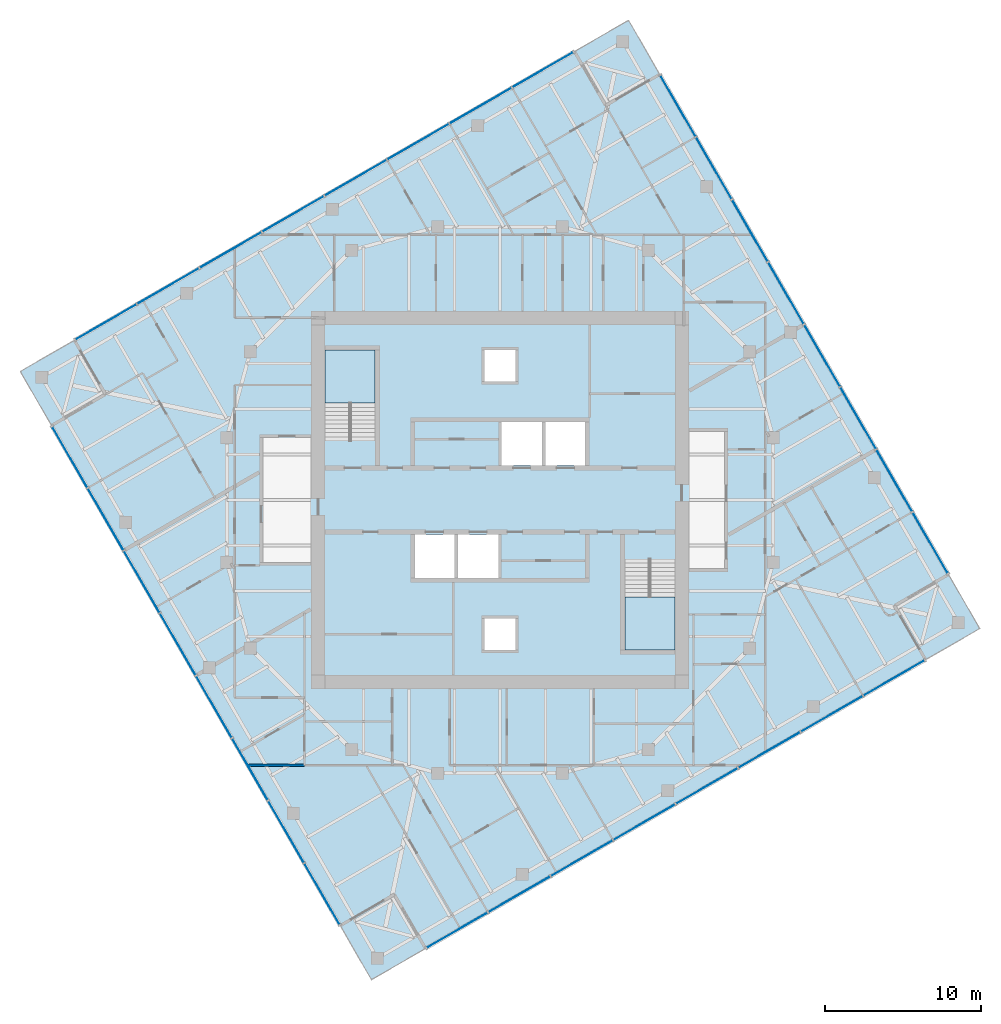
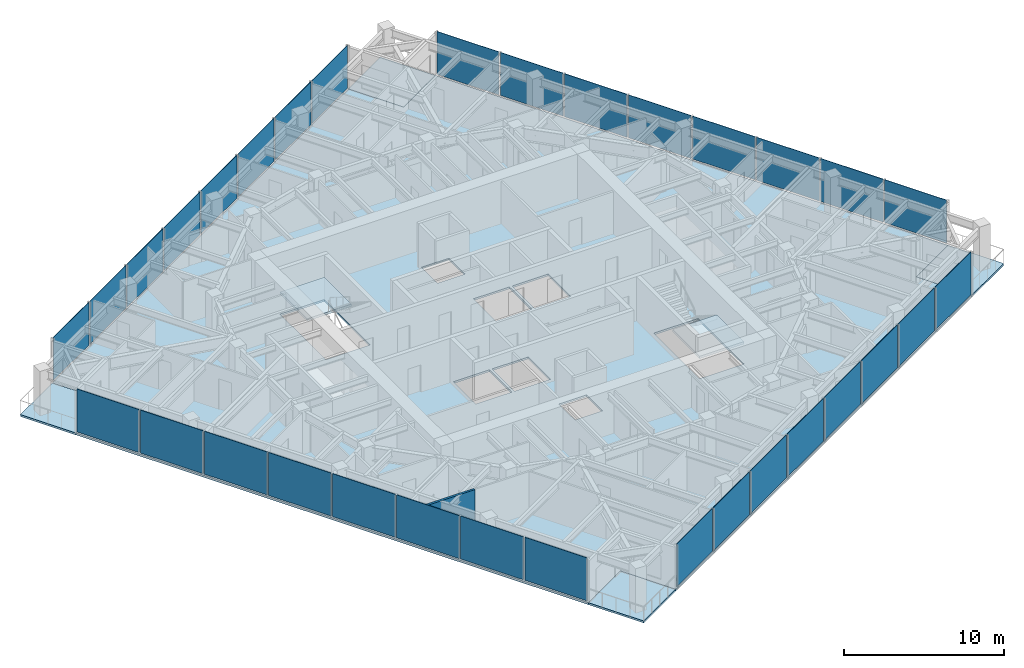
# One storey, part 6 of 13: 32 plates, 7 slabs, 1 wall, 6 elements without a shape of their own.
"""IFC4 building model written with IfcOpenShell, lengths in metres."""

from ifc_helpers import new_model, si_unit, direction, frame, frame_2d, origin, origin_2d, place, context, subcontext, project, spatial, polyline, rectangle, outline, extrude, material, layer, layer_set, type_object, element, aggregate, save


model = new_model("IFC4")

# Units and contexts
model_context = context("Model", 3, precision=1e-05, world=origin(), true_north=direction((0.0, 1.0)))
body_context = subcontext(model_context, "Body", "Model", "MODEL_VIEW")
ifc_project = project(units=[si_unit("LENGTHUNIT", "METRE"), si_unit("AREAUNIT", "SQUARE_METRE"), si_unit("VOLUMEUNIT", "CUBIC_METRE"), si_unit("PLANEANGLEUNIT", "RADIAN"), si_unit("MASSUNIT", "GRAM", prefix="KILO")], contexts=[model_context])

# Site, building, storey
site_placement = place(None, origin())
site = spatial("IfcSite", under=ifc_project, at=site_placement, CompositionType="ELEMENT")
building_placement = place(site_placement, origin())
building = spatial("IfcBuilding", under=site, at=building_placement, Name="Torsade Residences", CompositionType="ELEMENT")
storey_placement = place(building_placement, frame((0.0, 0.0, 215.0)))
storey = spatial("IfcBuildingStorey", under=building, at=storey_placement, Name="L59", CompositionType="ELEMENT", Elevation=215.0)

# Slab
ifc_material_1 = material(Name="Concrete 40 MPa", Category="concrete")
ifc_layer_1 = layer(ifc_material_1, 0.14990234375)
ifc_layer_set_1 = layer_set([ifc_layer_1], Name="Concrete 40 MPa")
slab_type_1 = type_object("IfcSlabType", Name="COMPOSITE FLOOR SLAB 150", PredefinedType="FLOOR", material=ifc_layer_set_1)
slab_1_placement = place(storey_placement, frame((0.0, 0.0, -0.14990234375)))
element("IfcSlab", 1, at=slab_1_placement, inside=storey, type_object=slab_type_1, Name="Floor slab L59", PredefinedType="FLOOR", context=body_context, shape_type="SweptSolid", body=[
    extrude(outline(polyline([(35.228515625, 1.264404296875), (67.271484375, 19.764404296875), (65.271484375, 23.228515625), (68.735595703125, 25.228515625), (50.235595703125, 57.271484375), (46.771484375, 55.271484375), (44.771484375, 58.735595703125), (12.728515625, 40.235595703125), (14.728515625, 36.771484375), (11.264404296875, 34.771484375), (29.764404296875, 2.728515625), (33.228515625, 4.728515625), (35.228515625, 1.264404296875)]), holes=[polyline([(51.199951171875, 26.1201171875), (48.0, 26.1201171875), (48.0, 20.39990234375), (51.199951171875, 20.39990234375), (51.199951171875, 26.1201171875)]), polyline([(45.5, 35.0), (42.89990234375, 35.0), (42.89990234375, 32.199951171875), (45.5, 32.199951171875), (45.5, 35.0)]), polyline([(42.699951171875, 35.0), (40.10009765625, 35.0), (40.10009765625, 32.199951171875), (42.699951171875, 32.199951171875), (42.699951171875, 35.0)]), polyline([(41.0, 22.39990234375), (39.0, 22.39990234375), (39.0, 20.39990234375), (41.0, 20.39990234375), (41.0, 22.39990234375)]), polyline([(41.0, 39.60009765625), (39.0, 39.60009765625), (39.0, 37.60009765625), (41.0, 37.60009765625), (41.0, 39.60009765625)]), polyline([(39.89990234375, 27.800048828125), (37.300048828125, 27.800048828125), (37.300048828125, 25.0), (39.89990234375, 25.0), (39.89990234375, 27.800048828125)]), polyline([(37.10009765625, 27.800048828125), (34.5, 27.800048828125), (34.5, 25.0), (37.10009765625, 25.0), (37.10009765625, 27.800048828125)]), polyline([(32.0, 39.60009765625), (28.800048828125, 39.60009765625), (28.800048828125, 33.8798828125), (32.0, 33.8798828125), (32.0, 39.60009765625)])]), origin(), (0.0, 0.0, 1.0), 0.14990234375),
])

# Curtain wall, plates
ifc_material_2 = material(Name="Aluminium and glass", Category="aluminium")
curtain_wall_type = type_object("IfcCurtainWallType", Name="FRITTED GLASS CURTAIN WALL HIGH ZONE", PredefinedType="NOTDEFINED", material=ifc_material_2)
curtain_wall_1_placement = place(storey_placement, origin())
curtain_wall_1 = element("IfcCurtainWall", 2, at=curtain_wall_1_placement, inside=storey, type_object=curtain_wall_type, Name="Curtain wall L59 face 1", PredefinedType="NOTDEFINED")
ifc_material_3 = material(Name="Laminated glass", Category="glass")
ifc_layer_2 = layer(ifc_material_3, 0.031982421875)
ifc_layer_set_2 = layer_set([ifc_layer_2], Name="Laminated glass")
plate_type_1 = type_object("IfcPlateType", Name="FRITTED GLASS PANEL", PredefinedType="CURTAIN_PANEL", material=ifc_layer_set_2)
plate_1_placement = place(storey_placement, frame((37.2529296875, 2.43310546875, 0.1201171875), z_axis=(0.0, 0.0, 1.0), x_axis=(0.866025404186, 0.499999999305, 0.0)))
plate_1 = element("IfcPlate", 3, at=plate_1_placement, type_object=plate_type_1, Name="Panel 1", PredefinedType="CURTAIN_PANEL", context=body_context, shape_type="SweptSolid", body=[
    extrude(rectangle(XDim=4.47509765625, YDim=0.031982421875, at=origin_2d()), origin(), (0.0, 0.0, 1.0), 3.280029296875),
])
plate_2_placement = place(storey_placement, frame((45.241943359375, 7.045654296875, 0.1201171875), z_axis=(0.0, 0.0, 1.0), x_axis=(0.866025404186, 0.499999999305, 0.0)))
plate_2 = element("IfcPlate", 4, at=plate_2_placement, type_object=plate_type_1, Name="Panel 3", PredefinedType="CURTAIN_PANEL", context=body_context, shape_type="SweptSolid", body=[
    extrude(rectangle(XDim=4.52490234375, YDim=0.031982421875, at=origin_2d()), origin(), (0.0, 0.0, 1.0), 3.280029296875),
])
plate_3_placement = place(storey_placement, frame((49.247314453125, 9.358154296875, 0.1201171875), z_axis=(0.0, 0.0, 1.0), x_axis=(0.866025404186, 0.499999999305, 0.0)))
plate_3 = element("IfcPlate", 5, at=plate_3_placement, type_object=plate_type_1, Name="Panel 4", PredefinedType="CURTAIN_PANEL", context=body_context, shape_type="SweptSolid", body=[
    extrude(rectangle(XDim=4.52490234375, YDim=0.031982421875, at=origin_2d()), origin(), (0.0, 0.0, 1.0), 3.280029296875),
])
plate_4_placement = place(storey_placement, frame((53.252685546875, 11.670654296875, 0.1201171875), z_axis=(0.0, 0.0, 1.0), x_axis=(0.866025404186, 0.499999999305, 0.0)))
plate_4 = element("IfcPlate", 6, at=plate_4_placement, type_object=plate_type_1, Name="Panel 5", PredefinedType="CURTAIN_PANEL", context=body_context, shape_type="SweptSolid", body=[
    extrude(rectangle(XDim=4.52490234375, YDim=0.031982421875, at=origin_2d()), origin(), (0.0, 0.0, 1.0), 3.280029296875),
])
plate_5_placement = place(storey_placement, frame((61.263427734375, 16.295654296875, 0.1201171875), z_axis=(0.0, 0.0, 1.0), x_axis=(0.866025404186, 0.499999999305, 0.0)))
plate_5 = element("IfcPlate", 7, at=plate_5_placement, type_object=plate_type_1, Name="Panel 7", PredefinedType="CURTAIN_PANEL", context=body_context, shape_type="SweptSolid", body=[
    extrude(rectangle(XDim=4.52490234375, YDim=0.031982421875, at=origin_2d()), origin(), (0.0, 0.0, 1.0), 3.280029296875),
])
plate_6_placement = place(storey_placement, frame((65.2470703125, 18.595703125, 0.1201171875), z_axis=(0.0, 0.0, 1.0), x_axis=(0.866025404186, 0.499999999305, 0.0)))
plate_6 = element("IfcPlate", 8, at=plate_6_placement, type_object=plate_type_1, Name="Panel 8", PredefinedType="CURTAIN_PANEL", context=body_context, shape_type="SweptSolid", body=[
    extrude(rectangle(XDim=4.47509765625, YDim=0.031982421875, at=origin_2d()), origin(), (0.0, 0.0, 1.0), 3.280029296875),
])

curtain_wall_2_placement = place(storey_placement, origin())
curtain_wall_2 = element("IfcCurtainWall", 9, at=curtain_wall_2_placement, inside=storey, type_object=curtain_wall_type, Name="Curtain wall L59 face 4", PredefinedType="NOTDEFINED")
plate_7_placement = place(storey_placement, frame((67.56689453125, 27.2529296875, 0.1201171875), z_axis=(0.0, 0.0, 1.0), x_axis=(-0.499999999305, 0.866025404186, 0.0)))
plate_7 = element("IfcPlate", 10, at=plate_7_placement, type_object=plate_type_1, Name="Panel 1", PredefinedType="CURTAIN_PANEL", context=body_context, shape_type="SweptSolid", body=[
    extrude(rectangle(XDim=4.47509765625, YDim=0.031982421875, at=origin_2d()), origin(), (0.0, 0.0, 1.0), 3.280029296875),
])
plate_8_placement = place(storey_placement, frame((62.954345703125, 35.241943359375, 0.1201171875), z_axis=(0.0, 0.0, 1.0), x_axis=(-0.499999999305, 0.866025404186, 0.0)))
plate_8 = element("IfcPlate", 11, at=plate_8_placement, type_object=plate_type_1, Name="Panel 3", PredefinedType="CURTAIN_PANEL", context=body_context, shape_type="SweptSolid", body=[
    extrude(rectangle(XDim=4.52490234375, YDim=0.031982421875, at=origin_2d()), origin(), (0.0, 0.0, 1.0), 3.280029296875),
])
plate_9_placement = place(storey_placement, frame((60.641845703125, 39.247314453125, 0.1201171875), z_axis=(0.0, 0.0, 1.0), x_axis=(-0.499999999305, 0.866025404186, 0.0)))
plate_9 = element("IfcPlate", 12, at=plate_9_placement, type_object=plate_type_1, Name="Panel 4", PredefinedType="CURTAIN_PANEL", context=body_context, shape_type="SweptSolid", body=[
    extrude(rectangle(XDim=4.52490234375, YDim=0.031982421875, at=origin_2d()), origin(), (0.0, 0.0, 1.0), 3.280029296875),
])
plate_10_placement = place(storey_placement, frame((58.329345703125, 43.252685546875, 0.1201171875), z_axis=(0.0, 0.0, 1.0), x_axis=(-0.499999999305, 0.866025404186, 0.0)))
plate_10 = element("IfcPlate", 13, at=plate_10_placement, type_object=plate_type_1, Name="Panel 5", PredefinedType="CURTAIN_PANEL", context=body_context, shape_type="SweptSolid", body=[
    extrude(rectangle(XDim=4.52490234375, YDim=0.031982421875, at=origin_2d()), origin(), (0.0, 0.0, 1.0), 3.280029296875),
])
plate_11_placement = place(storey_placement, frame((53.704345703125, 51.263427734375, 0.1201171875), z_axis=(0.0, 0.0, 1.0), x_axis=(-0.499999999305, 0.866025404186, 0.0)))
plate_11 = element("IfcPlate", 14, at=plate_11_placement, type_object=plate_type_1, Name="Panel 7", PredefinedType="CURTAIN_PANEL", context=body_context, shape_type="SweptSolid", body=[
    extrude(rectangle(XDim=4.52490234375, YDim=0.031982421875, at=origin_2d()), origin(), (0.0, 0.0, 1.0), 3.280029296875),
])
plate_12_placement = place(storey_placement, frame((51.404296875, 55.2470703125, 0.1201171875), z_axis=(0.0, 0.0, 1.0), x_axis=(-0.499999999305, 0.866025404186, 0.0)))
plate_12 = element("IfcPlate", 15, at=plate_12_placement, type_object=plate_type_1, Name="Panel 8", PredefinedType="CURTAIN_PANEL", context=body_context, shape_type="SweptSolid", body=[
    extrude(rectangle(XDim=4.47509765625, YDim=0.031982421875, at=origin_2d()), origin(), (0.0, 0.0, 1.0), 3.280029296875),
])

curtain_wall_3_placement = place(storey_placement, origin())
curtain_wall_3 = element("IfcCurtainWall", 16, at=curtain_wall_3_placement, inside=storey, type_object=curtain_wall_type, Name="Curtain wall L59 face 7", PredefinedType="NOTDEFINED")
plate_13_placement = place(storey_placement, frame((42.7470703125, 57.56689453125, 0.1201171875), z_axis=(0.0, 0.0, 1.0), x_axis=(-0.866025404186, -0.499999999305, 0.0)))
plate_13 = element("IfcPlate", 17, at=plate_13_placement, type_object=plate_type_1, Name="Panel 1", PredefinedType="CURTAIN_PANEL", context=body_context, shape_type="SweptSolid", body=[
    extrude(rectangle(XDim=4.47509765625, YDim=0.031982421875, at=origin_2d()), origin(), (0.0, 0.0, 1.0), 3.280029296875),
])
plate_14_placement = place(storey_placement, frame((34.758056640625, 52.954345703125, 0.1201171875), z_axis=(0.0, 0.0, 1.0), x_axis=(-0.866025404186, -0.499999999305, 0.0)))
plate_14 = element("IfcPlate", 18, at=plate_14_placement, type_object=plate_type_1, Name="Panel 3", PredefinedType="CURTAIN_PANEL", context=body_context, shape_type="SweptSolid", body=[
    extrude(rectangle(XDim=4.52490234375, YDim=0.031982421875, at=origin_2d()), origin(), (0.0, 0.0, 1.0), 3.280029296875),
])
plate_15_placement = place(storey_placement, frame((30.752685546875, 50.641845703125, 0.1201171875), z_axis=(0.0, 0.0, 1.0), x_axis=(-0.866025404186, -0.499999999305, 0.0)))
plate_15 = element("IfcPlate", 19, at=plate_15_placement, type_object=plate_type_1, Name="Panel 4", PredefinedType="CURTAIN_PANEL", context=body_context, shape_type="SweptSolid", body=[
    extrude(rectangle(XDim=4.52490234375, YDim=0.031982421875, at=origin_2d()), origin(), (0.0, 0.0, 1.0), 3.280029296875),
])
plate_16_placement = place(storey_placement, frame((26.747314453125, 48.329345703125, 0.1201171875), z_axis=(0.0, 0.0, 1.0), x_axis=(-0.866025404186, -0.499999999305, 0.0)))
plate_16 = element("IfcPlate", 20, at=plate_16_placement, type_object=plate_type_1, Name="Panel 5", PredefinedType="CURTAIN_PANEL", context=body_context, shape_type="SweptSolid", body=[
    extrude(rectangle(XDim=4.52490234375, YDim=0.031982421875, at=origin_2d()), origin(), (0.0, 0.0, 1.0), 3.280029296875),
])
plate_17_placement = place(storey_placement, frame((18.736572265625, 43.704345703125, 0.1201171875), z_axis=(0.0, 0.0, 1.0), x_axis=(-0.866025404186, -0.499999999305, 0.0)))
plate_17 = element("IfcPlate", 21, at=plate_17_placement, type_object=plate_type_1, Name="Panel 7", PredefinedType="CURTAIN_PANEL", context=body_context, shape_type="SweptSolid", body=[
    extrude(rectangle(XDim=4.52490234375, YDim=0.031982421875, at=origin_2d()), origin(), (0.0, 0.0, 1.0), 3.280029296875),
])
plate_18_placement = place(storey_placement, frame((14.7529296875, 41.404296875, 0.1201171875), z_axis=(0.0, 0.0, 1.0), x_axis=(-0.866025404186, -0.499999999305, 0.0)))
plate_18 = element("IfcPlate", 22, at=plate_18_placement, type_object=plate_type_1, Name="Panel 8", PredefinedType="CURTAIN_PANEL", context=body_context, shape_type="SweptSolid", body=[
    extrude(rectangle(XDim=4.47509765625, YDim=0.031982421875, at=origin_2d()), origin(), (0.0, 0.0, 1.0), 3.280029296875),
])

curtain_wall_4_placement = place(storey_placement, origin())
curtain_wall_4 = element("IfcCurtainWall", 23, at=curtain_wall_4_placement, inside=storey, type_object=curtain_wall_type, Name="Curtain wall L59 face 10", PredefinedType="NOTDEFINED")
plate_19_placement = place(storey_placement, frame((12.43310546875, 32.7470703125, 0.1201171875), z_axis=(0.0, 0.0, 1.0), x_axis=(0.499999999305, -0.866025404186, 0.0)))
plate_19 = element("IfcPlate", 24, at=plate_19_placement, type_object=plate_type_1, Name="Panel 1", PredefinedType="CURTAIN_PANEL", context=body_context, shape_type="SweptSolid", body=[
    extrude(rectangle(XDim=4.47509765625, YDim=0.031982421875, at=origin_2d()), origin(), (0.0, 0.0, 1.0), 3.280029296875),
])
plate_20_placement = place(storey_placement, frame((17.045654296875, 24.758056640625, 0.1201171875), z_axis=(0.0, 0.0, 1.0), x_axis=(0.499999999305, -0.866025404186, 0.0)))
plate_20 = element("IfcPlate", 25, at=plate_20_placement, type_object=plate_type_1, Name="Panel 3", PredefinedType="CURTAIN_PANEL", context=body_context, shape_type="SweptSolid", body=[
    extrude(rectangle(XDim=4.52490234375, YDim=0.031982421875, at=origin_2d()), origin(), (0.0, 0.0, 1.0), 3.280029296875),
])
plate_21_placement = place(storey_placement, frame((19.358154296875, 20.752685546875, 0.1201171875), z_axis=(0.0, 0.0, 1.0), x_axis=(0.499999999305, -0.866025404186, 0.0)))
plate_21 = element("IfcPlate", 26, at=plate_21_placement, type_object=plate_type_1, Name="Panel 4", PredefinedType="CURTAIN_PANEL", context=body_context, shape_type="SweptSolid", body=[
    extrude(rectangle(XDim=4.52490234375, YDim=0.031982421875, at=origin_2d()), origin(), (0.0, 0.0, 1.0), 3.280029296875),
])
plate_22_placement = place(storey_placement, frame((21.670654296875, 16.747314453125, 0.1201171875), z_axis=(0.0, 0.0, 1.0), x_axis=(0.499999999305, -0.866025404186, 0.0)))
plate_22 = element("IfcPlate", 27, at=plate_22_placement, type_object=plate_type_1, Name="Panel 5", PredefinedType="CURTAIN_PANEL", context=body_context, shape_type="SweptSolid", body=[
    extrude(rectangle(XDim=4.52490234375, YDim=0.031982421875, at=origin_2d()), origin(), (0.0, 0.0, 1.0), 3.280029296875),
])
plate_23_placement = place(storey_placement, frame((26.295654296875, 8.736572265625, 0.1201171875), z_axis=(0.0, 0.0, 1.0), x_axis=(0.499999999305, -0.866025404186, 0.0)))
plate_23 = element("IfcPlate", 28, at=plate_23_placement, type_object=plate_type_1, Name="Panel 7", PredefinedType="CURTAIN_PANEL", context=body_context, shape_type="SweptSolid", body=[
    extrude(rectangle(XDim=4.52490234375, YDim=0.031982421875, at=origin_2d()), origin(), (0.0, 0.0, 1.0), 3.280029296875),
])
plate_24_placement = place(storey_placement, frame((28.595703125, 4.7529296875, 0.1201171875), z_axis=(0.0, 0.0, 1.0), x_axis=(0.499999999305, -0.866025404186, 0.0)))
plate_24 = element("IfcPlate", 29, at=plate_24_placement, type_object=plate_type_1, Name="Panel 8", PredefinedType="CURTAIN_PANEL", context=body_context, shape_type="SweptSolid", body=[
    extrude(rectangle(XDim=4.47509765625, YDim=0.031982421875, at=origin_2d()), origin(), (0.0, 0.0, 1.0), 3.280029296875),
])

# Plate
ifc_material_4 = material(Name="Laminated glass", Category="glass")
ifc_layer_3 = layer(ifc_material_4, 0.0400390625)
ifc_layer_set_3 = layer_set([ifc_layer_3], Name="Laminated glass")
plate_type_2 = type_object("IfcPlateType", Name="OPERABLE VENT PANEL", PredefinedType="CURTAIN_PANEL", material=ifc_layer_set_3)
plate_25_placement = place(storey_placement, frame((41.236572265625, 4.733154296875, 0.1201171875), z_axis=(0.0, 0.0, 1.0), x_axis=(0.866025404186, 0.499999999305, 0.0)))
plate_25 = element("IfcPlate", 30, at=plate_25_placement, type_object=plate_type_2, Name="Panel 2", PredefinedType="CURTAIN_PANEL", context=body_context, shape_type="SweptSolid", body=[
    extrude(rectangle(XDim=4.52490234375, YDim=0.0400390625, at=origin_2d()), origin(), (0.0, 0.0, 1.0), 3.280029296875),
])

plate_26_placement = place(storey_placement, frame((57.258056640625, 13.983154296875, 0.1201171875), z_axis=(0.0, 0.0, 1.0), x_axis=(0.866025404186, 0.499999999305, 0.0)))
plate_26 = element("IfcPlate", 31, at=plate_26_placement, type_object=plate_type_2, Name="Panel 6", PredefinedType="CURTAIN_PANEL", context=body_context, shape_type="SweptSolid", body=[
    extrude(rectangle(XDim=4.52490234375, YDim=0.0400390625, at=origin_2d()), origin(), (0.0, 0.0, 1.0), 3.280029296875),
])

aggregate(curtain_wall_1, [plate_1, plate_25, plate_2, plate_3, plate_4, plate_26, plate_5, plate_6])

plate_27_placement = place(storey_placement, frame((65.266845703125, 31.236572265625, 0.1201171875), z_axis=(0.0, 0.0, 1.0), x_axis=(-0.499999999305, 0.866025404186, 0.0)))
plate_27 = element("IfcPlate", 32, at=plate_27_placement, type_object=plate_type_2, Name="Panel 2", PredefinedType="CURTAIN_PANEL", context=body_context, shape_type="SweptSolid", body=[
    extrude(rectangle(XDim=4.52490234375, YDim=0.0400390625, at=origin_2d()), origin(), (0.0, 0.0, 1.0), 3.280029296875),
])

plate_28_placement = place(storey_placement, frame((56.016845703125, 47.258056640625, 0.1201171875), z_axis=(0.0, 0.0, 1.0), x_axis=(-0.499999999305, 0.866025404186, 0.0)))
plate_28 = element("IfcPlate", 33, at=plate_28_placement, type_object=plate_type_2, Name="Panel 6", PredefinedType="CURTAIN_PANEL", context=body_context, shape_type="SweptSolid", body=[
    extrude(rectangle(XDim=4.52490234375, YDim=0.0400390625, at=origin_2d()), origin(), (0.0, 0.0, 1.0), 3.280029296875),
])

aggregate(curtain_wall_2, [plate_7, plate_27, plate_8, plate_9, plate_10, plate_28, plate_11, plate_12])

plate_29_placement = place(storey_placement, frame((38.763427734375, 55.266845703125, 0.1201171875), z_axis=(0.0, 0.0, 1.0), x_axis=(-0.866025404186, -0.499999999305, 0.0)))
plate_29 = element("IfcPlate", 34, at=plate_29_placement, type_object=plate_type_2, Name="Panel 2", PredefinedType="CURTAIN_PANEL", context=body_context, shape_type="SweptSolid", body=[
    extrude(rectangle(XDim=4.52490234375, YDim=0.0400390625, at=origin_2d()), origin(), (0.0, 0.0, 1.0), 3.280029296875),
])

plate_30_placement = place(storey_placement, frame((22.741943359375, 46.016845703125, 0.1201171875), z_axis=(0.0, 0.0, 1.0), x_axis=(-0.866025404186, -0.499999999305, 0.0)))
plate_30 = element("IfcPlate", 35, at=plate_30_placement, type_object=plate_type_2, Name="Panel 6", PredefinedType="CURTAIN_PANEL", context=body_context, shape_type="SweptSolid", body=[
    extrude(rectangle(XDim=4.52490234375, YDim=0.0400390625, at=origin_2d()), origin(), (0.0, 0.0, 1.0), 3.280029296875),
])

aggregate(curtain_wall_3, [plate_13, plate_29, plate_14, plate_15, plate_16, plate_30, plate_17, plate_18])

plate_31_placement = place(storey_placement, frame((14.733154296875, 28.763427734375, 0.1201171875), z_axis=(0.0, 0.0, 1.0), x_axis=(0.499999999305, -0.866025404186, 0.0)))
plate_31 = element("IfcPlate", 36, at=plate_31_placement, type_object=plate_type_2, Name="Panel 2", PredefinedType="CURTAIN_PANEL", context=body_context, shape_type="SweptSolid", body=[
    extrude(rectangle(XDim=4.52490234375, YDim=0.0400390625, at=origin_2d()), origin(), (0.0, 0.0, 1.0), 3.280029296875),
])

plate_32_placement = place(storey_placement, frame((23.983154296875, 12.741943359375, 0.1201171875), z_axis=(0.0, 0.0, 1.0), x_axis=(0.499999999305, -0.866025404186, 0.0)))
plate_32 = element("IfcPlate", 37, at=plate_32_placement, type_object=plate_type_2, Name="Panel 6", PredefinedType="CURTAIN_PANEL", context=body_context, shape_type="SweptSolid", body=[
    extrude(rectangle(XDim=4.52490234375, YDim=0.0400390625, at=origin_2d()), origin(), (0.0, 0.0, 1.0), 3.280029296875),
])

aggregate(curtain_wall_4, [plate_19, plate_31, plate_20, plate_21, plate_22, plate_32, plate_23, plate_24])

# Stair, slab
ifc_material_5 = material(Name="Precast concrete 40 MPa", Category="concrete")
stair_type = type_object("IfcStairType", Name="HALF-TURN FIRE STAIR 1500x3400", PredefinedType="HALF_TURN_STAIR", material=ifc_material_5)
stair_1_placement = place(storey_placement, origin())
stair_1 = element("IfcStair", 38, at=stair_1_placement, inside=storey, type_object=stair_type, Name="Stair ST1 L59", PredefinedType="HALF_TURN_STAIR")
ifc_material_6 = material(Name="Precast concrete 40 MPa", Category="concrete")
ifc_layer_4 = layer(ifc_material_6, 0.179931640625)
ifc_layer_set_4 = layer_set([ifc_layer_4], Name="Precast concrete 40 MPa")
slab_type_2 = type_object("IfcSlabType", Name="PRECAST STAIR LANDING 180", PredefinedType="LANDING", material=ifc_layer_set_4)
slab_2_placement = place(storey_placement, frame((0.0, 0.0, 1.52001953125)))
slab_2 = element("IfcSlab", 39, at=slab_2_placement, type_object=slab_type_2, Name="ST1 landing 1", PredefinedType="LANDING", context=body_context, shape_type="SweptSolid", body=[
    extrude(outline(polyline([(28.800048828125, 36.2099609375), (32.0, 36.2099609375), (32.0, 39.60009765625), (28.800048828125, 39.60009765625), (28.800048828125, 36.2099609375)])), origin(), (0.0, 0.0, 1.0), 0.179931640625),
])
aggregate(stair_1, [slab_2])

stair_2_placement = place(storey_placement, origin())
stair_2 = element("IfcStair", 40, at=stair_2_placement, inside=storey, type_object=stair_type, Name="Stair ST2 L59", PredefinedType="HALF_TURN_STAIR")
slab_3_placement = place(storey_placement, frame((0.0, 0.0, 1.52001953125)))
slab_3 = element("IfcSlab", 41, at=slab_3_placement, type_object=slab_type_2, Name="ST2 landing 1", PredefinedType="LANDING", context=body_context, shape_type="SweptSolid", body=[
    extrude(outline(polyline([(48.0, 20.39990234375), (51.199951171875, 20.39990234375), (51.199951171875, 23.7900390625), (48.0, 23.7900390625), (48.0, 20.39990234375)])), origin(), (0.0, 0.0, 1.0), 0.179931640625),
])
aggregate(stair_2, [slab_3])

# Slabs
ifc_material_7 = material(Name="Concrete 40 MPa", Category="concrete")
ifc_layer_5 = layer(ifc_material_7, 0.14990234375)
ifc_layer_set_5 = layer_set([ifc_layer_5], Name="Concrete 40 MPa")
slab_type_3 = type_object("IfcSlabType", Name="TERRACE SLAB 150", PredefinedType="FLOOR", material=ifc_layer_set_5)
slab_4_placement = place(storey_placement, frame((0.0, 0.0, -0.14990234375)))
element("IfcSlab", 42, at=slab_4_placement, inside=storey, type_object=slab_type_3, Name="Corner terrace slab SE L59", PredefinedType="FLOOR", context=body_context, shape_type="SweptSolid", body=[
    extrude(outline(polyline([(67.271484375, 19.764404296875), (70.735595703125, 21.764404296875), (68.735595703125, 25.228515625), (65.271484375, 23.228515625), (67.271484375, 19.764404296875)])), origin(), (0.0, 0.0, 1.0), 0.14990234375),
])
slab_5_placement = place(storey_placement, frame((0.0, 0.0, -0.14990234375)))
element("IfcSlab", 43, at=slab_5_placement, inside=storey, type_object=slab_type_3, Name="Corner terrace slab NE L59", PredefinedType="FLOOR", context=body_context, shape_type="SweptSolid", body=[
    extrude(outline(polyline([(46.771484375, 55.271484375), (50.235595703125, 57.271484375), (48.235595703125, 60.735595703125), (44.771484375, 58.735595703125), (46.771484375, 55.271484375)])), origin(), (0.0, 0.0, 1.0), 0.14990234375),
])
slab_6_placement = place(storey_placement, frame((0.0, 0.0, -0.14990234375)))
element("IfcSlab", 44, at=slab_6_placement, inside=storey, type_object=slab_type_3, Name="Corner terrace slab NW L59", PredefinedType="FLOOR", context=body_context, shape_type="SweptSolid", body=[
    extrude(outline(polyline([(11.264404296875, 34.771484375), (14.728515625, 36.771484375), (12.728515625, 40.235595703125), (9.264404296875, 38.235595703125), (11.264404296875, 34.771484375)])), origin(), (0.0, 0.0, 1.0), 0.14990234375),
])
slab_7_placement = place(storey_placement, frame((0.0, 0.0, -0.14990234375)))
element("IfcSlab", 45, at=slab_7_placement, inside=storey, type_object=slab_type_3, Name="Corner terrace slab SW L59", PredefinedType="FLOOR", context=body_context, shape_type="SweptSolid", body=[
    extrude(outline(polyline([(31.764404296875, -0.735595703125), (35.228515625, 1.264404296875), (33.228515625, 4.728515625), (29.764404296875, 2.728515625), (31.764404296875, -0.735595703125)])), origin(), (0.0, 0.0, 1.0), 0.14990234375),
])

# Wall
ifc_material_8 = material(Name="Reinforced blockwork", Category="masonry")
ifc_layer_6 = layer(ifc_material_8, 0.14990234375)
ifc_layer_set_6 = layer_set([ifc_layer_6], Name="Reinforced blockwork")
wall_type = type_object("IfcWallType", Name="SERVICE ROOM WALL 150", PredefinedType="SOLIDWALL", material=ifc_layer_set_6)
wall_placement = place(storey_placement, frame((23.88037109375, 13.0, 0.0), z_axis=(0.0, 0.0, 1.0), x_axis=(1.0, 0.0, 0.0)))
element("IfcWall", 46, at=wall_placement, inside=storey, type_object=wall_type, Name="Service room wall L59", PredefinedType="SOLIDWALL", context=body_context, shape_type="SweptSolid", body=[
    extrude(rectangle(XDim=3.593017578125, YDim=0.14990234375, at=frame_2d((1.79638671875, 0.0))), origin(), (0.0, 0.0, 1.0), 3.25),
])

save(model, "model.ifc")
